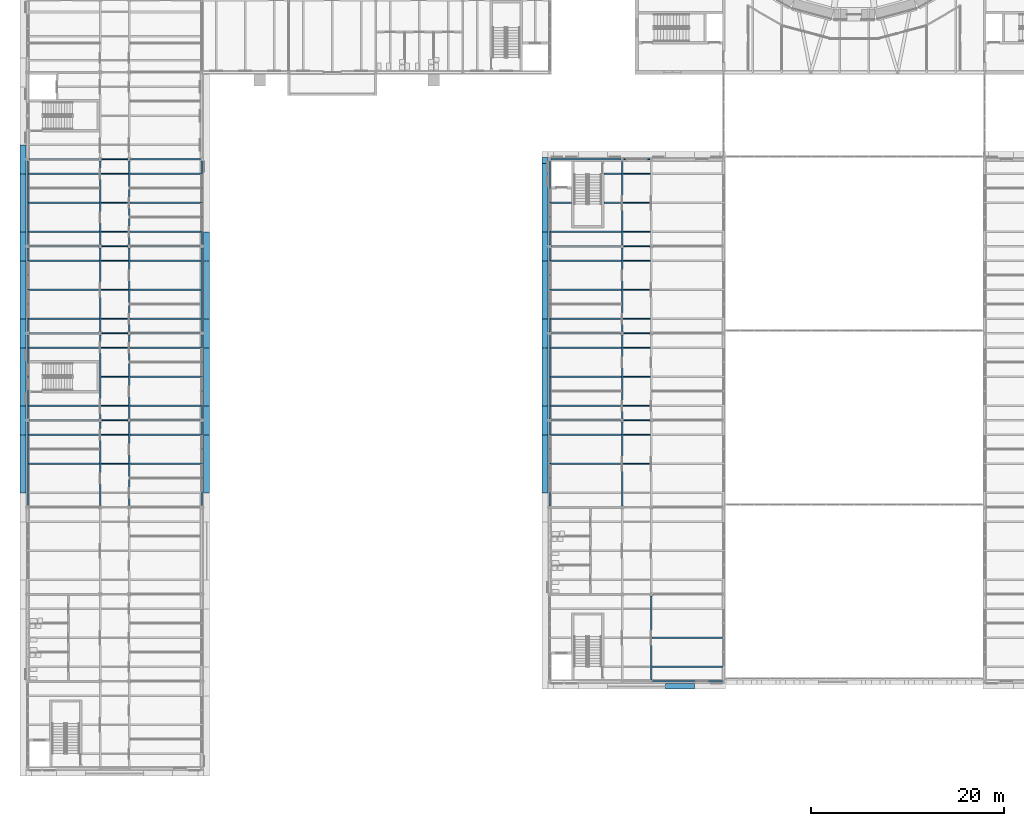
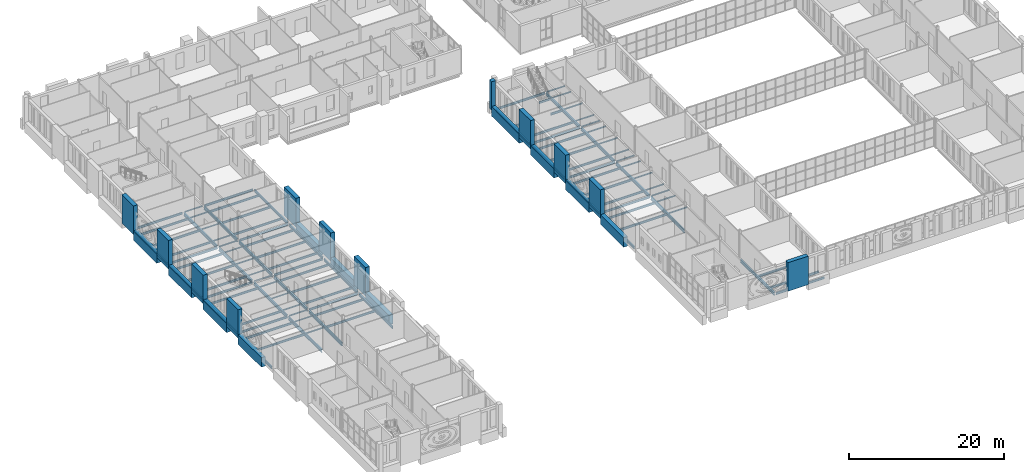
# One storey, part 27 of 131: 114 beams, 12 members.
"""IFC4 building model written with IfcOpenShell, lengths in metres."""

from ifc_helpers import new_model, si_unit, direction, frame, origin, origin_2d, place, context, subcontext, project, spatial, rectangle, i_section, extrude, material, material_profile, profile_set, type_object, element, save


model = new_model("IFC4")

# Units and contexts
model_context = context("Model", 3, precision=1e-05, world=origin(), true_north=direction((0.0, 1.0)))
body_context = subcontext(model_context, "Body", "Model", "MODEL_VIEW")
ifc_project = project(units=[si_unit("LENGTHUNIT", "METRE"), si_unit("AREAUNIT", "SQUARE_METRE"), si_unit("VOLUMEUNIT", "CUBIC_METRE"), si_unit("PLANEANGLEUNIT", "RADIAN"), si_unit("MASSUNIT", "GRAM", prefix="KILO")], contexts=[model_context])

# Site, building, storey
site_placement = place(None, origin())
site = spatial("IfcSite", under=ifc_project, at=site_placement, CompositionType="ELEMENT")
building_placement = place(site_placement, origin())
building = spatial("IfcBuilding", under=site, at=building_placement, Name="Golden Quay Civic Hall", CompositionType="ELEMENT")
storey_placement = place(building_placement, frame((0.0, 0.0, 9.89990234375)))
storey = spatial("IfcBuildingStorey", under=building, at=storey_placement, Name="L02", CompositionType="ELEMENT", Elevation=9.89990234375)

# Members
ifc_material_1 = material(Name="Concrete C40/50", Category="concrete")
ifc_material_profile_1 = material_profile(ifc_material_1, rectangle(XDim=3.0, YDim=0.60009765625, at=origin_2d()), Name="RC 3000x600")
ifc_profile_set_1 = profile_set([ifc_material_profile_1], Name="Concrete C40/50")
member_type_1 = type_object("IfcMemberType", Name="Precast concrete facade pier 3000 x 600", PredefinedType="POST", material=ifc_profile_set_1)
for number, where, z_axis, x_axis, name in (
    (1, (-0.5, 27.0, 0.0), (0.0, 0.0, 1.0), (0.0, 1.0, 0.0), "Precast concrete facade pier 3000 x 600 L02 3"),
    (2, (-0.5, 36.0, 0.0), (0.0, 0.0, 1.0), (0.0, 1.0, 0.0), "Precast concrete facade pier 3000 x 600 L02 4"),
    (3, (-0.5, 45.0, 0.0), (0.0, 0.0, 1.0), (0.0, 1.0, 0.0), "Precast concrete facade pier 3000 x 600 L02 5"),
    (4, (-0.5, 54.0, 0.0), (0.0, 0.0, 1.0), (0.0, 1.0, 0.0), "Precast concrete facade pier 3000 x 600 L02 6"),
    (5, (18.5, 27.0, 0.0), (0.0, 0.0, 1.0), (0.0, 1.0, 0.0), "Precast concrete facade pier 3000 x 600 L02 14"),
    (6, (18.5, 36.0, 0.0), (0.0, 0.0, 1.0), (0.0, 1.0, 0.0), "Precast concrete facade pier 3000 x 600 L02 15"),
    (7, (18.5, 45.0, 0.0), (0.0, 0.0, 1.0), (0.0, 1.0, 0.0), "Precast concrete facade pier 3000 x 600 L02 16"),
    (8, (53.5, 27.0, 0.0), (0.0, 0.0, 1.0), (0.0, 1.0, 0.0), "Precast concrete facade pier 3000 x 600 L02 20"),
    (9, (53.5, 36.0, 0.0), (0.0, 0.0, 1.0), (0.0, 1.0, 0.0), "Precast concrete facade pier 3000 x 600 L02 21"),
    (10, (53.5, 45.0, 0.0), (0.0, 0.0, 1.0), (0.0, 1.0, 0.0), "Precast concrete facade pier 3000 x 600 L02 22"),
    (11, (67.5, -0.5, 0.0), (0.0, 0.0, 1.0), (1.0, 0.0, 0.0), "Precast concrete facade pier 3000 x 600 L02 26"),
):
    element("IfcMember", number, at=place(storey_placement, frame(where, z_axis=z_axis, x_axis=x_axis)), inside=storey, type_object=member_type_1, Name=name, PredefinedType="POST", context=body_context, shape_type="SweptSolid", body=[
        extrude(rectangle(XDim=3.0, YDim=0.60009765625, at=origin_2d()), origin(), (0.0, 0.0, 1.0), 4.5),
    ])
ifc_material_2 = material(Name="Concrete C40/50", Category="concrete")
ifc_material_profile_2 = material_profile(ifc_material_2, rectangle(XDim=0.60009765625, YDim=0.60009765625, at=origin_2d()), Name="RC 600x600")
ifc_profile_set_2 = profile_set([ifc_material_profile_2], Name="Concrete C40/50")
member_type_2 = type_object("IfcMemberType", Name="Precast concrete facade post 600 x 600", PredefinedType="POST", material=ifc_profile_set_2)
member_placement = place(storey_placement, frame((53.5, 53.89990234375, 0.0), z_axis=(0.0, 0.0, 1.0), x_axis=(1.0, 0.0, 0.0)))
element("IfcMember", 12, at=member_placement, inside=storey, type_object=member_type_2, Name="Precast concrete facade post 600 x 600 L02 6", PredefinedType="POST", context=body_context, shape_type="SweptSolid", body=[
    extrude(rectangle(XDim=0.60009765625, YDim=0.60009765625, at=origin_2d()), origin(), (0.0, 0.0, 1.0), 4.5),
])

# Beams
ifc_material_3 = material(Name="Concrete C40/50", Category="concrete")
ifc_material_profile_3 = material_profile(ifc_material_3, rectangle(XDim=0.60009765625, YDim=1.5, at=origin_2d()), Name="RC 600x1500")
ifc_profile_set_3 = profile_set([ifc_material_profile_3], Name="Concrete C40/50")
beam_type_1 = type_object("IfcBeamType", Name="Precast concrete spandrel beam 600 x 1500", PredefinedType="SPANDREL", material=ifc_profile_set_3)
for number, where, z_axis, x_axis, name in (
    (13, (-0.5, 37.5, -0.14990234375), (0.0, 1.0, 0.0), (-1.0, 0.0, 0.0), "Precast concrete spandrel beam 600 x 1500 L02 1"),
    (14, (-0.5, 46.5, -0.14990234375), (0.0, 1.0, 0.0), (-1.0, 0.0, 0.0), "Precast concrete spandrel beam 600 x 1500 L02 8"),
    (15, (-0.5, 28.5, -0.14990234375), (0.0, 1.0, 0.0), (-1.0, 0.0, 0.0), "Precast concrete spandrel beam 600 x 1500 L02 9"),
    (16, (-0.5, 19.5, -0.14990234375), (0.0, 1.0, 0.0), (-1.0, 0.0, 0.0), "Precast concrete spandrel beam 600 x 1500 L02 10"),
    (17, (18.5, 19.5, -0.14990234375), (0.0, 1.0, 0.0), (-1.0, 0.0, 0.0), "Precast concrete spandrel beam 600 x 1500 L02 15"),
    (18, (18.5, 37.5, -0.14990234375), (0.0, 1.0, 0.0), (-1.0, 0.0, 0.0), "Precast concrete spandrel beam 600 x 1500 L02 16"),
    (19, (18.5, 28.5, -0.14990234375), (0.0, 1.0, 0.0), (-1.0, 0.0, 0.0), "Precast concrete spandrel beam 600 x 1500 L02 17"),
):
    element("IfcBeam", number, at=place(storey_placement, frame(where, z_axis=z_axis, x_axis=x_axis)), inside=storey, type_object=beam_type_1, Name=name, PredefinedType="SPANDREL", context=body_context, shape_type="SweptSolid", body=[
        extrude(rectangle(XDim=0.60009765625, YDim=1.5, at=origin_2d()), origin(), (0.0, 0.0, 1.0), 6.0),
    ])
beam_1_placement = place(storey_placement, frame((53.5, 46.5, -0.14990234375), z_axis=(0.0, 1.0, 0.0), x_axis=(-1.0, 0.0, 0.0)))
element("IfcBeam", 20, at=beam_1_placement, inside=storey, type_object=beam_type_1, Name="Precast concrete spandrel beam 600 x 1500 L02 20", PredefinedType="SPANDREL", context=body_context, shape_type="SweptSolid", body=[
    extrude(rectangle(XDim=0.60009765625, YDim=1.5, at=origin_2d()), origin(), (0.0, 0.0, 1.0), 7.10009765625),
])
for number, where, z_axis, x_axis, name in (
    (21, (53.5, 37.5, -0.14990234375), (0.0, 1.0, 0.0), (-1.0, 0.0, 0.0), "Precast concrete spandrel beam 600 x 1500 L02 24"),
    (22, (53.5, 28.5, -0.14990234375), (0.0, 1.0, 0.0), (-1.0, 0.0, 0.0), "Precast concrete spandrel beam 600 x 1500 L02 25"),
    (23, (53.5, 19.5, -0.14990234375), (0.0, 1.0, 0.0), (-1.0, 0.0, 0.0), "Precast concrete spandrel beam 600 x 1500 L02 26"),
):
    element("IfcBeam", number, at=place(storey_placement, frame(where, z_axis=z_axis, x_axis=x_axis)), inside=storey, type_object=beam_type_1, Name=name, PredefinedType="SPANDREL", context=body_context, shape_type="SweptSolid", body=[
        extrude(rectangle(XDim=0.60009765625, YDim=1.5, at=origin_2d()), origin(), (0.0, 0.0, 1.0), 6.0),
    ])
ifc_material_4 = material(Name="Steel S355", Category="steel")
ifc_material_profile_4 = material_profile(ifc_material_4, i_section(OverallWidth=0.10009765625, OverallDepth=0.199951171875, WebThickness=0.005615234375, FlangeThickness=0.008544921875, FilletRadius=0.011962890625, at=origin_2d()), Name="IPE 200")
ifc_profile_set_4 = profile_set([ifc_material_profile_4], Name="Steel S355")
beam_type_2 = type_object("IfcBeamType", Name="Steel beam IPE 200", PredefinedType="BEAM", material=ifc_profile_set_4)
for number, where, z_axis, x_axis, name in (
    (24, (7.64990234375, 27.0, -0.2998046875), (1.0, 0.0, 0.0), (0.0, 1.0, 0.0), "Beam S27-7.5"),
    (25, (7.64990234375, 36.0, -0.2998046875), (1.0, 0.0, 0.0), (0.0, 1.0, 0.0), "Beam S36-7.5"),
    (26, (7.64990234375, 45.0, -0.2998046875), (1.0, 0.0, 0.0), (0.0, 1.0, 0.0), "Beam S45-7.5"),
    (27, (7.64990234375, 54.0, -0.2998046875), (1.0, 0.0, 0.0), (0.0, 1.0, 0.0), "Beam S54-7.5"),
    (28, (61.64990234375, 27.0, -0.2998046875), (1.0, 0.0, 0.0), (0.0, 1.0, 0.0), "Beam S27-61.5"),
    (29, (61.64990234375, 36.0, -0.2998046875), (1.0, 0.0, 0.0), (0.0, 1.0, 0.0), "Beam S36-61.5"),
    (30, (61.64990234375, 45.0, -0.2998046875), (1.0, 0.0, 0.0), (0.0, 1.0, 0.0), "Beam S45-61.5"),
):
    element("IfcBeam", number, at=place(storey_placement, frame(where, z_axis=z_axis, x_axis=x_axis)), inside=storey, type_object=beam_type_2, Name=name, PredefinedType="BEAM", context=body_context, shape_type="SweptSolid", body=[
        extrude(i_section(OverallWidth=0.10009765625, OverallDepth=0.199951171875, WebThickness=0.005615234375, FlangeThickness=0.008544921875, FilletRadius=0.011962890625, at=origin_2d()), origin(), (0.0, 0.0, 1.0), 2.7001953125),
    ])
beam_2_placement = place(storey_placement, frame((61.639892578125, 54.0, -0.2998046875), z_axis=(1.0, 0.0, 0.0), x_axis=(0.0, 1.0, 0.0)))
element("IfcBeam", 31, at=beam_2_placement, inside=storey, type_object=beam_type_2, Name="Beam S54-61.5", PredefinedType="BEAM", context=body_context, shape_type="SweptSolid", body=[
    extrude(i_section(OverallWidth=0.10009765625, OverallDepth=0.199951171875, WebThickness=0.005615234375, FlangeThickness=0.008544921875, FilletRadius=0.011962890625, at=origin_2d()), origin(), (0.0, 0.0, 1.0), 2.72021484375),
])
ifc_material_5 = material(Name="Steel S355", Category="steel")
ifc_material_profile_5 = material_profile(ifc_material_5, i_section(OverallWidth=0.159912109375, OverallDepth=0.330078125, WebThickness=0.007568359375, FlangeThickness=0.011474609375, FilletRadius=0.01806640625, at=origin_2d()), Name="IPE 330")
ifc_profile_set_5 = profile_set([ifc_material_profile_5], Name="Steel S355")
beam_type_3 = type_object("IfcBeamType", Name="Steel beam IPE 330", PredefinedType="BEAM", material=ifc_profile_set_5)
for number, where, z_axis, x_axis, name in (
    (32, (0.14990234375, 27.0, -0.364990234375), (1.0, 0.0, 0.0), (0.0, 1.0, 0.0), "Beam S27-0"),
    (33, (10.64990234375, 27.0, -0.364990234375), (1.0, 0.0, 0.0), (0.0, 1.0, 0.0), "Beam S27-10.5"),
    (34, (0.14990234375, 36.0, -0.364990234375), (1.0, 0.0, 0.0), (0.0, 1.0, 0.0), "Beam S36-0"),
    (35, (10.64990234375, 36.0, -0.364990234375), (1.0, 0.0, 0.0), (0.0, 1.0, 0.0), "Beam S36-10.5"),
    (36, (0.14990234375, 45.0, -0.364990234375), (1.0, 0.0, 0.0), (0.0, 1.0, 0.0), "Beam S45-0"),
    (37, (10.64990234375, 45.0, -0.364990234375), (1.0, 0.0, 0.0), (0.0, 1.0, 0.0), "Beam S45-10.5"),
    (38, (0.14990234375, 54.0, -0.364990234375), (1.0, 0.0, 0.0), (0.0, 1.0, 0.0), "Beam S54-0"),
    (39, (10.64990234375, 54.0, -0.364990234375), (1.0, 0.0, 0.0), (0.0, 1.0, 0.0), "Beam S54-10.5"),
):
    element("IfcBeam", number, at=place(storey_placement, frame(where, z_axis=z_axis, x_axis=x_axis)), inside=storey, type_object=beam_type_3, Name=name, PredefinedType="BEAM", context=body_context, shape_type="SweptSolid", body=[
        extrude(i_section(OverallWidth=0.159912109375, OverallDepth=0.330078125, WebThickness=0.007568359375, FlangeThickness=0.011474609375, FilletRadius=0.01806640625, at=origin_2d()), origin(), (0.0, 0.0, 1.0), 7.2001953125),
    ])
beam_3_placement = place(storey_placement, frame((64.639892578125, 0.0, -0.364990234375), z_axis=(1.0, 0.0, 0.0), x_axis=(0.0, 1.0, 0.0)))
element("IfcBeam", 40, at=beam_3_placement, inside=storey, type_object=beam_type_3, Name="Beam S0-64.5", PredefinedType="BEAM", context=body_context, shape_type="SweptSolid", body=[
    extrude(i_section(OverallWidth=0.159912109375, OverallDepth=0.330078125, WebThickness=0.007568359375, FlangeThickness=0.011474609375, FilletRadius=0.01806640625, at=origin_2d()), origin(), (0.0, 0.0, 1.0), 7.22021484375),
])
for number, where, z_axis, x_axis, name in (
    (41, (54.139892578125, 27.0, -0.364990234375), (1.0, 0.0, 0.0), (0.0, 1.0, 0.0), "Beam S27-54"),
    (42, (54.139892578125, 36.0, -0.364990234375), (1.0, 0.0, 0.0), (0.0, 1.0, 0.0), "Beam S36-54"),
    (43, (54.139892578125, 45.0, -0.364990234375), (1.0, 0.0, 0.0), (0.0, 1.0, 0.0), "Beam S45-54"),
):
    element("IfcBeam", number, at=place(storey_placement, frame(where, z_axis=z_axis, x_axis=x_axis)), inside=storey, type_object=beam_type_3, Name=name, PredefinedType="BEAM", context=body_context, shape_type="SweptSolid", body=[
        extrude(i_section(OverallWidth=0.159912109375, OverallDepth=0.330078125, WebThickness=0.007568359375, FlangeThickness=0.011474609375, FilletRadius=0.01806640625, at=origin_2d()), origin(), (0.0, 0.0, 1.0), 7.210205078125),
    ])
beam_4_placement = place(storey_placement, frame((54.139892578125, 54.0, -0.364990234375), z_axis=(1.0, 0.0, 0.0), x_axis=(0.0, 1.0, 0.0)))
element("IfcBeam", 44, at=beam_4_placement, inside=storey, type_object=beam_type_3, Name="Beam S54-54", PredefinedType="BEAM", context=body_context, shape_type="SweptSolid", body=[
    extrude(i_section(OverallWidth=0.159912109375, OverallDepth=0.330078125, WebThickness=0.007568359375, FlangeThickness=0.011474609375, FilletRadius=0.01806640625, at=origin_2d()), origin(), (0.0, 0.0, 1.0), 7.22021484375),
])
ifc_material_6 = material(Name="Steel S355", Category="steel")
ifc_material_profile_6 = material_profile(ifc_material_6, i_section(OverallWidth=0.179931640625, OverallDepth=0.39990234375, WebThickness=0.008544921875, FlangeThickness=0.013427734375, FilletRadius=0.02099609375, at=origin_2d()), Name="IPE 400")
ifc_profile_set_6 = profile_set([ifc_material_profile_6], Name="Steel S355")
beam_type_4 = type_object("IfcBeamType", Name="Steel beam IPE 400", PredefinedType="BEAM", material=ifc_profile_set_6)
for number, where, z_axis, x_axis, name in (
    (45, (0.0, 18.14990234375, -0.39990234375), (0.0, 1.0, 0.0), (-1.0, 0.0, 0.0), "Beam L0-18"),
    (46, (0.0, 27.14990234375, -0.39990234375), (0.0, 1.0, 0.0), (-1.0, 0.0, 0.0), "Beam L0-27"),
    (47, (0.0, 36.14990234375, -0.39990234375), (0.0, 1.0, 0.0), (-1.0, 0.0, 0.0), "Beam L0-36"),
    (48, (0.0, 45.14990234375, -0.39990234375), (0.0, 1.0, 0.0), (-1.0, 0.0, 0.0), "Beam L0-45"),
    (49, (18.0, 18.14990234375, -0.39990234375), (0.0, 1.0, 0.0), (-1.0, 0.0, 0.0), "Beam L18-18"),
    (50, (18.0, 27.14990234375, -0.39990234375), (0.0, 1.0, 0.0), (-1.0, 0.0, 0.0), "Beam L18-27"),
    (51, (18.0, 36.14990234375, -0.39990234375), (0.0, 1.0, 0.0), (-1.0, 0.0, 0.0), "Beam L18-36"),
    (52, (18.0, 45.14990234375, -0.39990234375), (0.0, 1.0, 0.0), (-1.0, 0.0, 0.0), "Beam L18-45"),
):
    element("IfcBeam", number, at=place(storey_placement, frame(where, z_axis=z_axis, x_axis=x_axis)), inside=storey, type_object=beam_type_4, Name=name, PredefinedType="BEAM", context=body_context, shape_type="SweptSolid", body=[
        extrude(i_section(OverallWidth=0.179931640625, OverallDepth=0.39990234375, WebThickness=0.008544921875, FlangeThickness=0.013427734375, FilletRadius=0.02099609375, at=origin_2d()), origin(), (0.0, 0.0, 1.0), 8.7001953125),
    ])
for number, where, z_axis, x_axis, name in (
    (53, (54.0, 18.135009765625, -0.39990234375), (0.0, 1.0, 0.0), (-1.0, 0.0, 0.0), "Beam L54-18"),
    (54, (54.0, 27.135009765625, -0.39990234375), (0.0, 1.0, 0.0), (-1.0, 0.0, 0.0), "Beam L54-27"),
    (55, (54.0, 36.135009765625, -0.39990234375), (0.0, 1.0, 0.0), (-1.0, 0.0, 0.0), "Beam L54-36"),
    (56, (54.0, 45.135009765625, -0.39990234375), (0.0, 1.0, 0.0), (-1.0, 0.0, 0.0), "Beam L54-45"),
):
    element("IfcBeam", number, at=place(storey_placement, frame(where, z_axis=z_axis, x_axis=x_axis)), inside=storey, type_object=beam_type_4, Name=name, PredefinedType="BEAM", context=body_context, shape_type="SweptSolid", body=[
        extrude(i_section(OverallWidth=0.179931640625, OverallDepth=0.39990234375, WebThickness=0.008544921875, FlangeThickness=0.013427734375, FilletRadius=0.02099609375, at=origin_2d()), origin(), (0.0, 0.0, 1.0), 8.72998046875),
    ])
ifc_material_7 = material(Name="Steel S355", Category="steel")
ifc_material_profile_7 = material_profile(ifc_material_7, i_section(OverallWidth=0.199951171875, OverallDepth=0.5, WebThickness=0.01025390625, FlangeThickness=0.01611328125, FilletRadius=0.02099609375, at=origin_2d()), Name="IPE 500")
ifc_profile_set_7 = profile_set([ifc_material_profile_7], Name="Steel S355")
beam_type_5 = type_object("IfcBeamType", Name="Steel beam IPE 500", PredefinedType="BEAM", material=ifc_profile_set_7)
for number, where, z_axis, x_axis, name in (
    (57, (7.5, 18.179931640625, -0.449951171875), (0.0, 1.0, 0.0), (-1.0, 0.0, 0.0), "Beam L7.5-18"),
    (58, (7.5, 27.179931640625, -0.449951171875), (0.0, 1.0, 0.0), (-1.0, 0.0, 0.0), "Beam L7.5-27"),
    (59, (7.5, 36.179931640625, -0.449951171875), (0.0, 1.0, 0.0), (-1.0, 0.0, 0.0), "Beam L7.5-36"),
    (60, (7.5, 45.179931640625, -0.449951171875), (0.0, 1.0, 0.0), (-1.0, 0.0, 0.0), "Beam L7.5-45"),
    (61, (10.5, 18.179931640625, -0.449951171875), (0.0, 1.0, 0.0), (-1.0, 0.0, 0.0), "Beam L10.5-18"),
    (62, (10.5, 27.179931640625, -0.449951171875), (0.0, 1.0, 0.0), (-1.0, 0.0, 0.0), "Beam L10.5-27"),
    (63, (10.5, 36.179931640625, -0.449951171875), (0.0, 1.0, 0.0), (-1.0, 0.0, 0.0), "Beam L10.5-36"),
    (64, (10.5, 45.179931640625, -0.449951171875), (0.0, 1.0, 0.0), (-1.0, 0.0, 0.0), "Beam L10.5-45"),
):
    element("IfcBeam", number, at=place(storey_placement, frame(where, z_axis=z_axis, x_axis=x_axis)), inside=storey, type_object=beam_type_5, Name=name, PredefinedType="BEAM", context=body_context, shape_type="SweptSolid", body=[
        extrude(i_section(OverallWidth=0.199951171875, OverallDepth=0.5, WebThickness=0.01025390625, FlangeThickness=0.01611328125, FilletRadius=0.02099609375, at=origin_2d()), origin(), (0.0, 0.0, 1.0), 8.64013671875),
    ])
for number, where, z_axis, x_axis, name in (
    (65, (61.5, 18.14501953125, -0.449951171875), (0.0, 1.0, 0.0), (-1.0, 0.0, 0.0), "Beam L61.5-18"),
    (66, (61.5, 27.14501953125, -0.449951171875), (0.0, 1.0, 0.0), (-1.0, 0.0, 0.0), "Beam L61.5-27"),
    (67, (61.5, 36.14501953125, -0.449951171875), (0.0, 1.0, 0.0), (-1.0, 0.0, 0.0), "Beam L61.5-36"),
):
    element("IfcBeam", number, at=place(storey_placement, frame(where, z_axis=z_axis, x_axis=x_axis)), inside=storey, type_object=beam_type_5, Name=name, PredefinedType="BEAM", context=body_context, shape_type="SweptSolid", body=[
        extrude(i_section(OverallWidth=0.199951171875, OverallDepth=0.5, WebThickness=0.01025390625, FlangeThickness=0.01611328125, FilletRadius=0.02099609375, at=origin_2d()), origin(), (0.0, 0.0, 1.0), 8.7099609375),
    ])
for number, where, z_axis, x_axis, name in (
    (68, (61.5, 45.14501953125, -0.449951171875), (0.0, 1.0, 0.0), (-1.0, 0.0, 0.0), "Beam L61.5-45"),
    (69, (64.5, 0.135009765625, -0.449951171875), (0.0, 1.0, 0.0), (-1.0, 0.0, 0.0), "Beam L64.5-0"),
):
    element("IfcBeam", number, at=place(storey_placement, frame(where, z_axis=z_axis, x_axis=x_axis)), inside=storey, type_object=beam_type_5, Name=name, PredefinedType="BEAM", context=body_context, shape_type="SweptSolid", body=[
        extrude(i_section(OverallWidth=0.199951171875, OverallDepth=0.5, WebThickness=0.01025390625, FlangeThickness=0.01611328125, FilletRadius=0.02099609375, at=origin_2d()), origin(), (0.0, 0.0, 1.0), 8.719970703125),
    ])
ifc_material_8 = material(Name="Steel S355", Category="steel")
ifc_material_profile_8 = material_profile(ifc_material_8, i_section(OverallWidth=0.10009765625, OverallDepth=0.199951171875, WebThickness=0.005615234375, FlangeThickness=0.008544921875, FilletRadius=0.011962890625, at=origin_2d()), Name="IPE 200")
ifc_profile_set_8 = profile_set([ifc_material_profile_8], Name="Steel S355")
beam_type_6 = type_object("IfcBeamType", Name="Steel joist IPE 200", PredefinedType="JOIST", material=ifc_profile_set_8)
for number, where, z_axis, x_axis, name in (
    (70, (7.60009765625, 22.5, -0.2998046875), (1.0, 0.0, 0.0), (0.0, 1.0, 0.0), "Joist J22.5-7.5"),
    (71, (7.60009765625, 25.5, -0.2998046875), (1.0, 0.0, 0.0), (0.0, 1.0, 0.0), "Joist J25.5-7.5"),
    (72, (7.60009765625, 28.5, -0.2998046875), (1.0, 0.0, 0.0), (0.0, 1.0, 0.0), "Joist J28.5-7.5"),
    (73, (7.60009765625, 31.5, -0.2998046875), (1.0, 0.0, 0.0), (0.0, 1.0, 0.0), "Joist J31.5-7.5"),
    (74, (7.60009765625, 34.5, -0.2998046875), (1.0, 0.0, 0.0), (0.0, 1.0, 0.0), "Joist J34.5-7.5"),
    (75, (7.60009765625, 37.5, -0.2998046875), (1.0, 0.0, 0.0), (0.0, 1.0, 0.0), "Joist J37.5-7.5"),
    (76, (7.60009765625, 40.5, -0.2998046875), (1.0, 0.0, 0.0), (0.0, 1.0, 0.0), "Joist J40.5-7.5"),
    (77, (7.60009765625, 43.5, -0.2998046875), (1.0, 0.0, 0.0), (0.0, 1.0, 0.0), "Joist J43.5-7.5"),
    (78, (7.60009765625, 46.5, -0.2998046875), (1.0, 0.0, 0.0), (0.0, 1.0, 0.0), "Joist J46.5-7.5"),
    (79, (7.60009765625, 49.5, -0.2998046875), (1.0, 0.0, 0.0), (0.0, 1.0, 0.0), "Joist J49.5-7.5"),
    (80, (7.60009765625, 52.5, -0.2998046875), (1.0, 0.0, 0.0), (0.0, 1.0, 0.0), "Joist J52.5-7.5"),
    (81, (61.60009765625, 22.5, -0.2998046875), (1.0, 0.0, 0.0), (0.0, 1.0, 0.0), "Joist J22.5-61.5"),
    (82, (61.60009765625, 25.5, -0.2998046875), (1.0, 0.0, 0.0), (0.0, 1.0, 0.0), "Joist J25.5-61.5"),
    (83, (61.60009765625, 28.5, -0.2998046875), (1.0, 0.0, 0.0), (0.0, 1.0, 0.0), "Joist J28.5-61.5"),
    (84, (61.60009765625, 31.5, -0.2998046875), (1.0, 0.0, 0.0), (0.0, 1.0, 0.0), "Joist J31.5-61.5"),
    (85, (61.60009765625, 34.5, -0.2998046875), (1.0, 0.0, 0.0), (0.0, 1.0, 0.0), "Joist J34.5-61.5"),
    (86, (61.60009765625, 37.5, -0.2998046875), (1.0, 0.0, 0.0), (0.0, 1.0, 0.0), "Joist J37.5-61.5"),
    (87, (61.60009765625, 40.5, -0.2998046875), (1.0, 0.0, 0.0), (0.0, 1.0, 0.0), "Joist J40.5-61.5"),
    (88, (61.60009765625, 43.5, -0.2998046875), (1.0, 0.0, 0.0), (0.0, 1.0, 0.0), "Joist J43.5-61.5"),
    (89, (61.60009765625, 46.5, -0.2998046875), (1.0, 0.0, 0.0), (0.0, 1.0, 0.0), "Joist J46.5-61.5"),
    (90, (61.60009765625, 49.5, -0.2998046875), (1.0, 0.0, 0.0), (0.0, 1.0, 0.0), "Joist J49.5-61.5"),
    (91, (61.60009765625, 52.5, -0.2998046875), (1.0, 0.0, 0.0), (0.0, 1.0, 0.0), "Joist J52.5-61.5"),
):
    element("IfcBeam", number, at=place(storey_placement, frame(where, z_axis=z_axis, x_axis=x_axis)), inside=storey, type_object=beam_type_6, Name=name, PredefinedType="JOIST", context=body_context, shape_type="SweptSolid", body=[
        extrude(i_section(OverallWidth=0.10009765625, OverallDepth=0.199951171875, WebThickness=0.005615234375, FlangeThickness=0.008544921875, FilletRadius=0.011962890625, at=origin_2d()), origin(), (0.0, 0.0, 1.0), 2.7998046875),
    ])
ifc_material_9 = material(Name="Steel S355", Category="steel")
ifc_material_profile_9 = material_profile(ifc_material_9, i_section(OverallWidth=0.159912109375, OverallDepth=0.330078125, WebThickness=0.007568359375, FlangeThickness=0.011474609375, FilletRadius=0.01806640625, at=origin_2d()), Name="IPE 330")
ifc_profile_set_9 = profile_set([ifc_material_profile_9], Name="Steel S355")
beam_type_7 = type_object("IfcBeamType", Name="Steel joist IPE 330", PredefinedType="JOIST", material=ifc_profile_set_9)
for number, where, z_axis, x_axis, name in (
    (92, (0.090087890625, 22.5, -0.364990234375), (1.0, 0.0, 0.0), (0.0, 1.0, 0.0), "Joist J22.5-0"),
    (93, (10.60009765625, 22.5, -0.364990234375), (1.0, 0.0, 0.0), (0.0, 1.0, 0.0), "Joist J22.5-10.5"),
    (94, (0.090087890625, 25.5, -0.364990234375), (1.0, 0.0, 0.0), (0.0, 1.0, 0.0), "Joist J25.5-0"),
    (95, (10.60009765625, 25.5, -0.364990234375), (1.0, 0.0, 0.0), (0.0, 1.0, 0.0), "Joist J25.5-10.5"),
    (96, (0.090087890625, 28.5, -0.364990234375), (1.0, 0.0, 0.0), (0.0, 1.0, 0.0), "Joist J28.5-0"),
    (97, (10.60009765625, 28.5, -0.364990234375), (1.0, 0.0, 0.0), (0.0, 1.0, 0.0), "Joist J28.5-10.5"),
    (98, (10.60009765625, 31.5, -0.364990234375), (1.0, 0.0, 0.0), (0.0, 1.0, 0.0), "Joist J31.5-10.5"),
    (99, (0.090087890625, 34.5, -0.364990234375), (1.0, 0.0, 0.0), (0.0, 1.0, 0.0), "Joist J34.5-0"),
    (100, (10.60009765625, 34.5, -0.364990234375), (1.0, 0.0, 0.0), (0.0, 1.0, 0.0), "Joist J34.5-10.5"),
    (101, (0.090087890625, 37.5, -0.364990234375), (1.0, 0.0, 0.0), (0.0, 1.0, 0.0), "Joist J37.5-0"),
    (102, (10.60009765625, 37.5, -0.364990234375), (1.0, 0.0, 0.0), (0.0, 1.0, 0.0), "Joist J37.5-10.5"),
    (103, (0.090087890625, 40.5, -0.364990234375), (1.0, 0.0, 0.0), (0.0, 1.0, 0.0), "Joist J40.5-0"),
    (104, (10.60009765625, 40.5, -0.364990234375), (1.0, 0.0, 0.0), (0.0, 1.0, 0.0), "Joist J40.5-10.5"),
    (105, (0.090087890625, 43.5, -0.364990234375), (1.0, 0.0, 0.0), (0.0, 1.0, 0.0), "Joist J43.5-0"),
    (106, (10.60009765625, 43.5, -0.364990234375), (1.0, 0.0, 0.0), (0.0, 1.0, 0.0), "Joist J43.5-10.5"),
    (107, (0.090087890625, 46.5, -0.364990234375), (1.0, 0.0, 0.0), (0.0, 1.0, 0.0), "Joist J46.5-0"),
    (108, (10.60009765625, 46.5, -0.364990234375), (1.0, 0.0, 0.0), (0.0, 1.0, 0.0), "Joist J46.5-10.5"),
    (109, (0.090087890625, 49.5, -0.364990234375), (1.0, 0.0, 0.0), (0.0, 1.0, 0.0), "Joist J49.5-0"),
    (110, (10.60009765625, 49.5, -0.364990234375), (1.0, 0.0, 0.0), (0.0, 1.0, 0.0), "Joist J49.5-10.5"),
    (111, (0.090087890625, 52.5, -0.364990234375), (1.0, 0.0, 0.0), (0.0, 1.0, 0.0), "Joist J52.5-0"),
    (112, (10.60009765625, 52.5, -0.364990234375), (1.0, 0.0, 0.0), (0.0, 1.0, 0.0), "Joist J52.5-10.5"),
    (113, (64.60009765625, 1.5, -0.364990234375), (1.0, 0.0, 0.0), (0.0, 1.0, 0.0), "Joist J1.5-64.5"),
    (114, (64.60009765625, 4.5, -0.364990234375), (1.0, 0.0, 0.0), (0.0, 1.0, 0.0), "Joist J4.5-64.5"),
    (115, (54.090087890625, 22.5, -0.364990234375), (1.0, 0.0, 0.0), (0.0, 1.0, 0.0), "Joist J22.5-54"),
    (116, (54.090087890625, 25.5, -0.364990234375), (1.0, 0.0, 0.0), (0.0, 1.0, 0.0), "Joist J25.5-54"),
    (117, (54.090087890625, 28.5, -0.364990234375), (1.0, 0.0, 0.0), (0.0, 1.0, 0.0), "Joist J28.5-54"),
    (118, (54.090087890625, 31.5, -0.364990234375), (1.0, 0.0, 0.0), (0.0, 1.0, 0.0), "Joist J31.5-54"),
    (119, (54.090087890625, 34.5, -0.364990234375), (1.0, 0.0, 0.0), (0.0, 1.0, 0.0), "Joist J34.5-54"),
    (120, (54.090087890625, 37.5, -0.364990234375), (1.0, 0.0, 0.0), (0.0, 1.0, 0.0), "Joist J37.5-54"),
    (121, (54.090087890625, 40.5, -0.364990234375), (1.0, 0.0, 0.0), (0.0, 1.0, 0.0), "Joist J40.5-54"),
    (122, (54.090087890625, 43.5, -0.364990234375), (1.0, 0.0, 0.0), (0.0, 1.0, 0.0), "Joist J43.5-54"),
    (123, (54.090087890625, 46.5, -0.364990234375), (1.0, 0.0, 0.0), (0.0, 1.0, 0.0), "Joist J46.5-54"),
):
    element("IfcBeam", number, at=place(storey_placement, frame(where, z_axis=z_axis, x_axis=x_axis)), inside=storey, type_object=beam_type_7, Name=name, PredefinedType="JOIST", context=body_context, shape_type="SweptSolid", body=[
        extrude(i_section(OverallWidth=0.159912109375, OverallDepth=0.330078125, WebThickness=0.007568359375, FlangeThickness=0.011474609375, FilletRadius=0.01806640625, at=origin_2d()), origin(), (0.0, 0.0, 1.0), 7.309814453125),
    ])
beam_5_placement = place(storey_placement, frame((54.090087890625, 49.5, -0.364990234375), z_axis=(1.0, 0.0, 0.0), x_axis=(0.0, 1.0, 0.0)))
element("IfcBeam", 124, at=beam_5_placement, inside=storey, type_object=beam_type_7, Name="Joist J49.5-54-0", PredefinedType="JOIST", context=body_context, shape_type="SweptSolid", body=[
    extrude(i_section(OverallWidth=0.159912109375, OverallDepth=0.330078125, WebThickness=0.007568359375, FlangeThickness=0.011474609375, FilletRadius=0.01806640625, at=origin_2d()), origin(), (0.0, 0.0, 1.0), 2.159912109375),
])
for number, where, z_axis, x_axis, name in (
    (125, (59.60009765625, 49.5, -0.364990234375), (1.0, 0.0, 0.0), (0.0, 1.0, 0.0), "Joist J49.5-54-1"),
    (126, (59.60009765625, 52.5, -0.364990234375), (1.0, 0.0, 0.0), (0.0, 1.0, 0.0), "Joist J52.5-54-1"),
):
    element("IfcBeam", number, at=place(storey_placement, frame(where, z_axis=z_axis, x_axis=x_axis)), inside=storey, type_object=beam_type_7, Name=name, PredefinedType="JOIST", context=body_context, shape_type="SweptSolid", body=[
        extrude(i_section(OverallWidth=0.159912109375, OverallDepth=0.330078125, WebThickness=0.007568359375, FlangeThickness=0.011474609375, FilletRadius=0.01806640625, at=origin_2d()), origin(), (0.0, 0.0, 1.0), 1.7998046875),
    ])

save(model, "model.ifc")
